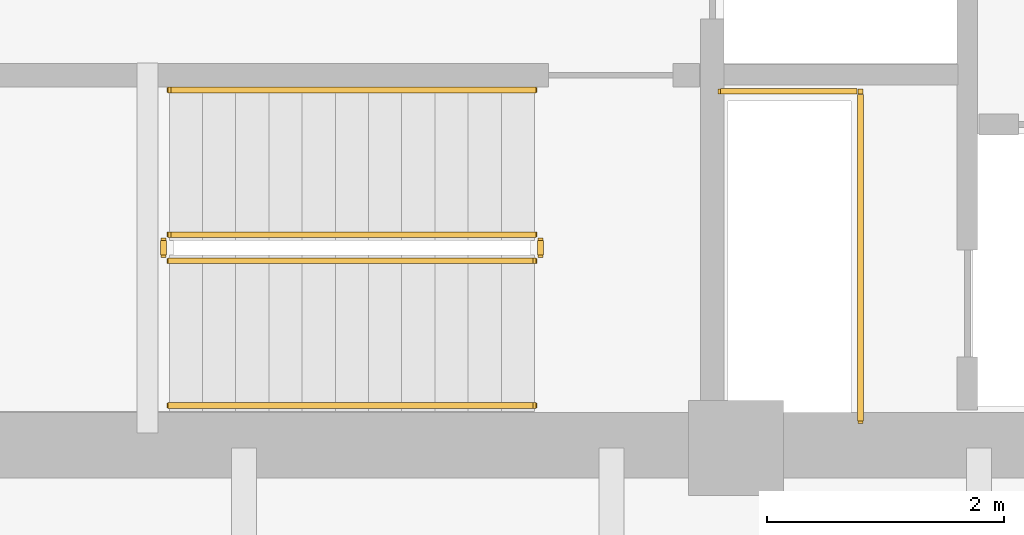
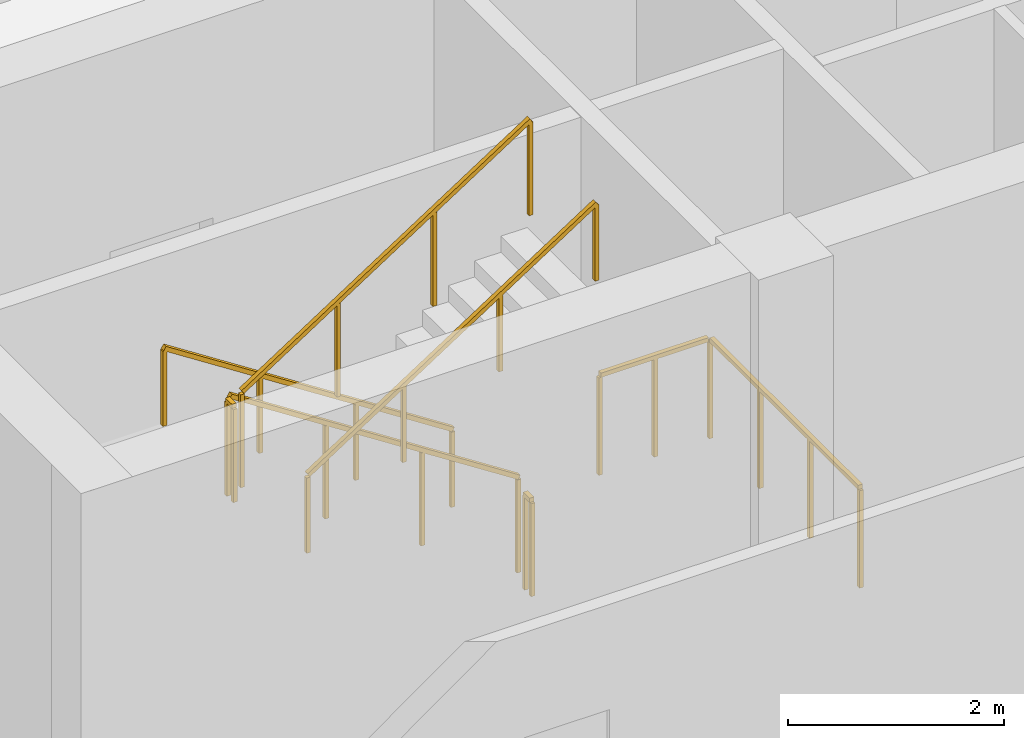
# One storey, part 34 of 38: 7 railings.
"""IFC4 building model written with IfcOpenShell, lengths in metres."""

from ifc_helpers import new_model, si_unit, direction, frame, origin, origin_2d, place, context, subcontext, project, spatial, rectangle, extrude, material, type_object, element, save


model = new_model("IFC4")

# Units and contexts
model_context = context("Model", 3, precision=1e-05, world=origin(), true_north=direction((0.0, 1.0)))
body_context = subcontext(model_context, "Body", "Model", "MODEL_VIEW")
ifc_project = project(units=[si_unit("LENGTHUNIT", "METRE"), si_unit("AREAUNIT", "SQUARE_METRE"), si_unit("VOLUMEUNIT", "CUBIC_METRE"), si_unit("PLANEANGLEUNIT", "RADIAN"), si_unit("MASSUNIT", "GRAM", prefix="KILO")], contexts=[model_context])

# Site, building, storey
site_placement = place(None, origin())
site = spatial("IfcSite", under=ifc_project, at=site_placement, CompositionType="ELEMENT")
building_placement = place(site_placement, origin())
building = spatial("IfcBuilding", under=site, at=building_placement, Name="Qhalaya Broadcast Tower", CompositionType="ELEMENT")
storey_placement = place(building_placement, frame((0.0, 0.0, 53.550048828125)))
storey = spatial("IfcBuildingStorey", under=building, at=storey_placement, Name="L15", CompositionType="ELEMENT", Elevation=53.550048828125)

# Railings
ifc_material = material(Name="Powder-Coated Galvanised Steel", Category="steel")
railing_type_1 = type_object("IfcRailingType", Name="Stair Wall Handrail 900", PredefinedType="HANDRAIL", material=ifc_material)
railing_1_placement = place(storey_placement, frame((-3.75, -5.72998046875, 0.18115234375)))
element("IfcRailing", 1, at=railing_1_placement, inside=storey, type_object=railing_type_1, Name="L15 ST-2 Stair Handrail 1", PredefinedType="HANDRAIL", context=body_context, shape_type="SweptSolid", body=[
    extrude(rectangle(XDim=0.048095703125, YDim=0.048095703125, at=origin_2d()), frame((0.0, 0.0, 0.8759765625), z_axis=(-0.8394576718, 0.0, 0.543425079708), x_axis=(0.0, -1.0, 0.0)), (0.0, 0.0, 1.0), 3.669189453125),
    extrude(rectangle(XDim=0.0419921875, YDim=0.0419921875, at=origin_2d()), origin(), (0.0, 0.0, 1.0), 0.849853515625),
    extrude(rectangle(XDim=0.0419921875, YDim=0.0419921875, at=origin_2d()), frame((-1.026611328125, 0.0, 0.66455078125)), (0.0, 0.0, 1.0), 0.849853515625),
    extrude(rectangle(XDim=0.0419921875, YDim=0.0419921875, at=origin_2d()), frame((-2.053466796875, 0.0, 1.329345703125)), (0.0, 0.0, 1.0), 0.849853515625),
    extrude(rectangle(XDim=0.0419921875, YDim=0.0419921875, at=origin_2d()), frame((-3.080078125, 0.0, 1.993896484375)), (0.0, 0.0, 1.0), 0.849853515625),
])
railing_2_placement = place(storey_placement, frame((-6.830078125, -8.389892578125, 2.356201171875)))
element("IfcRailing", 2, at=railing_2_placement, inside=storey, type_object=railing_type_1, Name="L15 ST-2 Stair Handrail 2", PredefinedType="HANDRAIL", context=body_context, shape_type="SweptSolid", body=[
    extrude(rectangle(XDim=0.048095703125, YDim=0.048095703125, at=origin_2d()), frame((0.0, 0.0, 0.8759765625), z_axis=(0.839488025565, 0.0, 0.543378187759), x_axis=(0.0, 1.0, 0.0)), (0.0, 0.0, 1.0), 3.6689453125),
    extrude(rectangle(XDim=0.0419921875, YDim=0.0419921875, at=origin_2d()), origin(), (0.0, 0.0, 1.0), 0.849853515625),
    extrude(rectangle(XDim=0.0419921875, YDim=0.0419921875, at=origin_2d()), frame((1.026611328125, 0.0, 0.66455078125)), (0.0, 0.0, 1.0), 0.849853515625),
    extrude(rectangle(XDim=0.0419921875, YDim=0.0419921875, at=origin_2d()), frame((2.053466796875, 0.0, 1.3291015625)), (0.0, 0.0, 1.0), 0.849853515625),
    extrude(rectangle(XDim=0.0419921875, YDim=0.0419921875, at=origin_2d()), frame((3.080078125, 0.0, 1.99365234375)), (0.0, 0.0, 1.0), 0.849853515625),
])
railing_type_2 = type_object("IfcRailingType", Name="Stair Well & Landing Guardrail 1100", PredefinedType="GUARDRAIL", material=ifc_material)
railing_3_placement = place(storey_placement, frame((-1.0, -8.52001953125, 0.0)))
element("IfcRailing", 3, at=railing_3_placement, inside=storey, type_object=railing_type_2, Name="L15 Service Riser Opening Safety Guard SRSR", PredefinedType="GUARDRAIL", context=body_context, shape_type="SweptSolid", body=[
    extrude(rectangle(XDim=0.048095703125, YDim=0.048095703125, at=origin_2d()), frame((0.0, 0.0, 1.1259765625), z_axis=(0.0, 1.0, 0.0), x_axis=(-1.0, 0.0, 0.0)), (0.0, 0.0, 1.0), 2.751220703125),
    extrude(rectangle(XDim=0.048095703125, YDim=0.048095703125, at=origin_2d()), frame((-0.02880859375, 2.780029296875, 1.1259765625), z_axis=(-1.0, 0.0, 0.0), x_axis=(0.0, -1.0, 0.0)), (0.0, 0.0, 1.0), 1.151123046875),
    extrude(rectangle(XDim=0.0419921875, YDim=0.0419921875, at=origin_2d()), origin(), (0.0, 0.0, 1.0), 1.099853515625),
    extrude(rectangle(XDim=0.0419921875, YDim=0.0419921875, at=origin_2d()), frame((0.0, 0.9267578125, 0.0)), (0.0, 0.0, 1.0), 1.099853515625),
    extrude(rectangle(XDim=0.0419921875, YDim=0.0419921875, at=origin_2d()), frame((0.0, 1.853271484375, 0.0)), (0.0, 0.0, 1.0), 1.099853515625),
    extrude(rectangle(XDim=0.0419921875, YDim=0.0419921875, at=origin_2d()), frame((0.0, 2.780029296875, 0.0)), (0.0, 0.0, 1.0), 1.099853515625),
    extrude(rectangle(XDim=0.0419921875, YDim=0.0419921875, at=origin_2d()), frame((-0.58984375, 2.780029296875, 0.0)), (0.0, 0.0, 1.0), 1.099853515625),
    extrude(rectangle(XDim=0.0419921875, YDim=0.0419921875, at=origin_2d()), frame((-1.179931640625, 2.780029296875, 0.0)), (0.0, 0.0, 1.0), 1.099853515625),
])
railing_4_placement = place(storey_placement, frame((-3.75, -6.949951171875, 0.18115234375)))
element("IfcRailing", 4, at=railing_4_placement, inside=storey, type_object=railing_type_2, Name="L15 ST-2 Stair Guard 1", PredefinedType="GUARDRAIL", context=body_context, shape_type="SweptSolid", body=[
    extrude(rectangle(XDim=0.048095703125, YDim=0.048095703125, at=origin_2d()), frame((0.0, 0.0, 1.076171875), z_axis=(-0.8394576718, 0.0, 0.543425079708), x_axis=(0.0, -1.0, 0.0)), (0.0, 0.0, 1.0), 3.669189453125),
    extrude(rectangle(XDim=0.0419921875, YDim=0.0419921875, at=origin_2d()), origin(), (0.0, 0.0, 1.0), 1.050048828125),
    extrude(rectangle(XDim=0.0419921875, YDim=0.0419921875, at=origin_2d()), frame((-1.026611328125, 0.0, 0.66455078125)), (0.0, 0.0, 1.0), 1.050048828125),
    extrude(rectangle(XDim=0.0419921875, YDim=0.0419921875, at=origin_2d()), frame((-2.053466796875, 0.0, 1.329345703125)), (0.0, 0.0, 1.0), 1.050048828125),
    extrude(rectangle(XDim=0.0419921875, YDim=0.0419921875, at=origin_2d()), frame((-3.080078125, 0.0, 1.993896484375)), (0.0, 0.0, 1.0), 1.050048828125),
])
railing_5_placement = place(storey_placement, frame((-6.8798828125, -7.0, 2.175048828125)))
element("IfcRailing", 5, at=railing_5_placement, inside=storey, type_object=railing_type_2, Name="L15 ST-2 Stair Guard 2", PredefinedType="GUARDRAIL", context=body_context, shape_type="SweptSolid", body=[
    extrude(rectangle(XDim=0.048095703125, YDim=0.048095703125, at=origin_2d()), frame((0.0, 0.0, 1.076171875), z_axis=(0.0, -1.0, 0.0), x_axis=(1.0, 0.0, 0.0)), (0.0, 0.0, 1.0), 0.1201171875),
    extrude(rectangle(XDim=0.0419921875, YDim=0.0419921875, at=origin_2d()), origin(), (0.0, 0.0, 1.0), 1.050048828125),
    extrude(rectangle(XDim=0.0419921875, YDim=0.0419921875, at=origin_2d()), frame((0.0, -0.1201171875, 0.0)), (0.0, 0.0, 1.0), 1.050048828125),
])
railing_6_placement = place(storey_placement, frame((-6.830078125, -7.169921875, 2.356201171875)))
element("IfcRailing", 6, at=railing_6_placement, inside=storey, type_object=railing_type_2, Name="L15 ST-2 Stair Guard 3", PredefinedType="GUARDRAIL", context=body_context, shape_type="SweptSolid", body=[
    extrude(rectangle(XDim=0.048095703125, YDim=0.048095703125, at=origin_2d()), frame((0.0, 0.0, 1.076171875), z_axis=(0.839488025565, 0.0, 0.543378187759), x_axis=(0.0, 1.0, 0.0)), (0.0, 0.0, 1.0), 3.6689453125),
    extrude(rectangle(XDim=0.0419921875, YDim=0.0419921875, at=origin_2d()), origin(), (0.0, 0.0, 1.0), 1.050048828125),
    extrude(rectangle(XDim=0.0419921875, YDim=0.0419921875, at=origin_2d()), frame((1.026611328125, 0.0, 0.66455078125)), (0.0, 0.0, 1.0), 1.050048828125),
    extrude(rectangle(XDim=0.0419921875, YDim=0.0419921875, at=origin_2d()), frame((2.053466796875, 0.0, 1.3291015625)), (0.0, 0.0, 1.0), 1.050048828125),
    extrude(rectangle(XDim=0.0419921875, YDim=0.0419921875, at=origin_2d()), frame((3.080078125, 0.0, 1.99365234375)), (0.0, 0.0, 1.0), 1.050048828125),
])
railing_7_placement = place(storey_placement, frame((-3.699951171875, -7.0, 0.0)))
element("IfcRailing", 7, at=railing_7_placement, inside=storey, type_object=railing_type_2, Name="L15 ST-2 Stair Guard 4", PredefinedType="GUARDRAIL", context=body_context, shape_type="SweptSolid", body=[
    extrude(rectangle(XDim=0.048095703125, YDim=0.048095703125, at=origin_2d()), frame((0.0, 0.0, 1.076171875), z_axis=(0.0, -1.0, 0.0), x_axis=(1.0, 0.0, 0.0)), (0.0, 0.0, 1.0), 0.1201171875),
    extrude(rectangle(XDim=0.0419921875, YDim=0.0419921875, at=origin_2d()), origin(), (0.0, 0.0, 1.0), 1.050048828125),
    extrude(rectangle(XDim=0.0419921875, YDim=0.0419921875, at=origin_2d()), frame((0.0, -0.1201171875, 0.0)), (0.0, 0.0, 1.0), 1.050048828125),
])

save(model, "model.ifc")
